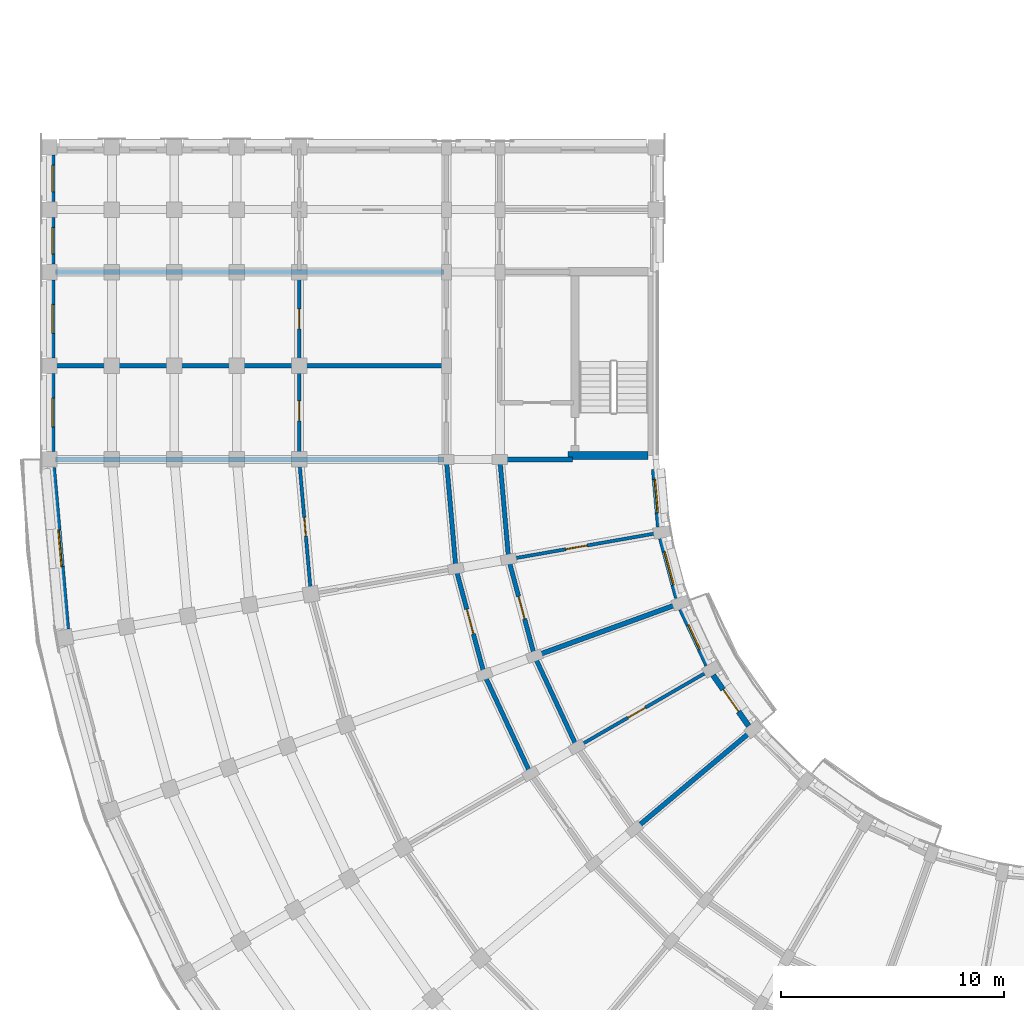
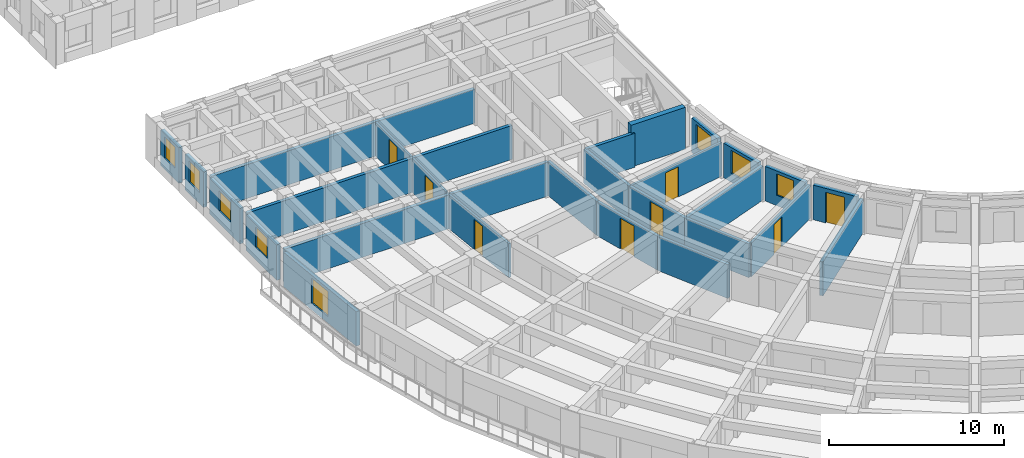
# One storey, part 19 of 57: 27 walls, 8 doors, 8 windows, 16 openings.
"""IFC4 building model written with IfcOpenShell, lengths in metres."""

from ifc_helpers import new_model, si_unit, direction, frame, frame_2d, origin, place, context, subcontext, project, spatial, rectangle, extrude, material, layer, layer_set, type_object, element, fill, save


model = new_model("IFC4")

# Units and contexts
model_context = context("Model", 3, precision=1e-05, world=origin(), true_north=direction((0.0, 1.0)))
body_context = subcontext(model_context, "Body", "Model", "MODEL_VIEW")
ifc_project = project(units=[si_unit("LENGTHUNIT", "METRE"), si_unit("AREAUNIT", "SQUARE_METRE"), si_unit("VOLUMEUNIT", "CUBIC_METRE"), si_unit("PLANEANGLEUNIT", "RADIAN"), si_unit("MASSUNIT", "GRAM", prefix="KILO")], contexts=[model_context])

# Site, building, storey
site_placement = place(None, origin())
site = spatial("IfcSite", under=ifc_project, at=site_placement, CompositionType="ELEMENT")
building_placement = place(site_placement, origin())
building = spatial("IfcBuilding", under=site, at=building_placement, Name="Kiranvali Square Residences", CompositionType="ELEMENT")
storey_placement = place(building_placement, frame((0.0, 0.0, 18.14990234375)))
storey = spatial("IfcBuildingStorey", under=building, at=storey_placement, Name="L05", CompositionType="ELEMENT", Elevation=18.14990234375)

# Walls
ifc_material_1 = material(Name="Autoclaved aerated concrete blockwork masonry", Category="masonry")
ifc_layer_1 = layer(ifc_material_1, 0.199951171875)
ifc_layer_set_1 = layer_set([ifc_layer_1], Name="Autoclaved aerated concrete blockwork masonry")
wall_type_1 = type_object("IfcWallType", Name="WL-COR-200", PredefinedType="STANDARD", material=ifc_layer_set_1)
wall_1_placement = place(storey_placement, frame((25.8564453125, 35.300048828125, 0.0), z_axis=(0.0, 0.0, 1.0), x_axis=(-0.422617978463, 0.906307919131, 0.0)))
element("IfcWall", 1, at=wall_1_placement, inside=storey, type_object=wall_type_1, Name="L05 architectural wall WL-L05-C-CCI-6", PredefinedType="STANDARD", context=body_context, shape_type="SweptSolid", body=[
    extrude(rectangle(XDim=4.497314453125, YDim=0.199951171875, at=frame_2d((2.24853515625, 0.0))), origin(), (0.0, 0.0, 1.0), 2.3720703125),
])
wall_2_placement = place(storey_placement, frame((23.778076171875, 34.10009765625, 0.0), z_axis=(0.0, 0.0, 1.0), x_axis=(-0.422629854778, 0.906302381024, 0.0)))
element("IfcWall", 2, at=wall_2_placement, inside=storey, type_object=wall_type_1, Name="L05 architectural wall WL-L05-C-CCO-6", PredefinedType="STANDARD", context=body_context, shape_type="SweptSolid", body=[
    extrude(rectangle(XDim=4.915283203125, YDim=0.199951171875, at=frame_2d((2.45751953125, 0.0))), origin(), (0.0, 0.0, 1.0), 2.3720703125),
])

# Wall, opening, door
wall_3_placement = place(storey_placement, frame((23.955810546875, 39.3759765625, 0.0), z_axis=(0.0, 0.0, 1.0), x_axis=(-0.258787642463, 0.965934240054, 0.0)))
wall_3 = element("IfcWall", 3, at=wall_3_placement, inside=storey, type_object=wall_type_1, Name="L05 architectural wall WL-L05-C-CCI-7", PredefinedType="STANDARD", context=body_context, shape_type="SweptSolid", body=[
    extrude(rectangle(XDim=4.497314453125, YDim=0.199951171875, at=frame_2d((2.24853515625, 0.0))), origin(), (0.0, 0.0, 1.0), 2.3720703125),
])
opening_1_placement = place(wall_3_placement, frame((1.728515625, 0.0, 0.0)))
opening_1 = element("IfcOpeningElement", 4, at=opening_1_placement, cuts=wall_3, Name="Opening FD-APT-60B", PredefinedType="OPENING", context=body_context, shape_type="SweptSolid", body=[
    extrude(rectangle(XDim=1.0400390625, YDim=2.14990234375, at=frame_2d((0.52001953125, 1.074951171875))), frame((0.0, 0.10986328125, 0.0), z_axis=(0.0, -1.0, 0.0), x_axis=(1.0, 0.0, 0.0)), (0.0, 0.0, 1.0), 0.219970703125),
])
ifc_material_2 = material(Name="Fire-rated acoustic hardwood and mineral-core door assembly", Category="wood")
door_type_1 = type_object("IfcDoorType", Name="DR-APT-1040", OperationType="NOTDEFINED", PredefinedType="DOOR", material=ifc_material_2)
door_1_placement = place(opening_1_placement, origin())
door_1 = element("IfcDoor", 5, at=door_1_placement, inside=storey, type_object=door_type_1, Name="L05 door DR-L05-2073 (DR-APT-1040)", OperationType="SINGLE_SWING_LEFT", OverallHeight=2.14990234375, OverallWidth=1.0400390625, PredefinedType="DOOR", context=body_context, shape_type="SweptSolid", body=[
    extrude(rectangle(XDim=1.0400390625, YDim=2.14990234375, at=frame_2d((0.52001953125, 1.074951171875))), frame((0.0, 0.02490234375, 0.0), z_axis=(0.0, -1.0, 0.0), x_axis=(1.0, 0.0, 0.0)), (0.0, 0.0, 1.0), 0.050048828125),
])
fill(opening_1, door_1)

wall_4_placement = place(storey_placement, frame((21.70068359375, 38.554931640625, 0.0), z_axis=(0.0, 0.0, 1.0), x_axis=(-0.258803112091, 0.965930095386, 0.0)))
wall_4 = element("IfcWall", 6, at=wall_4_placement, inside=storey, type_object=wall_type_1, Name="L05 architectural wall WL-L05-C-CCO-7", PredefinedType="STANDARD", context=body_context, shape_type="SweptSolid", body=[
    extrude(rectangle(XDim=4.915771484375, YDim=0.199951171875, at=frame_2d((2.4580078125, 0.0))), origin(), (0.0, 0.0, 1.0), 2.3720703125),
])
opening_2_placement = place(wall_4_placement, frame((1.8876953125, 0.0, 0.0)))
opening_2 = element("IfcOpeningElement", 7, at=opening_2_placement, cuts=wall_4, Name="Opening FD-APT-60D", PredefinedType="OPENING", context=body_context, shape_type="SweptSolid", body=[
    extrude(rectangle(XDim=1.139892578125, YDim=2.14990234375, at=frame_2d((0.56982421875, 1.074951171875))), frame((0.0, 0.10986328125, 0.0), z_axis=(0.0, -1.0, 0.0), x_axis=(1.0, 0.0, 0.0)), (0.0, 0.0, 1.0), 0.219970703125),
])
door_type_2 = type_object("IfcDoorType", Name="DR-APT-1140", OperationType="NOTDEFINED", PredefinedType="DOOR", material=ifc_material_2)
door_2_placement = place(opening_2_placement, origin())
door_2 = element("IfcDoor", 8, at=door_2_placement, inside=storey, type_object=door_type_2, Name="L05 door DR-L05-2067 (DR-APT-1140)", OperationType="SINGLE_SWING_LEFT", OverallHeight=2.14990234375, OverallWidth=1.139892578125, PredefinedType="DOOR", context=body_context, shape_type="SweptSolid", body=[
    extrude(rectangle(XDim=1.139892578125, YDim=2.14990234375, at=frame_2d((0.56982421875, 1.074951171875))), frame((0.0, 0.02490234375, 0.0), z_axis=(0.0, -1.0, 0.0), x_axis=(1.0, 0.0, 0.0)), (0.0, 0.0, 1.0), 0.050048828125),
])
fill(opening_2, door_2)

# Walls
wall_5_placement = place(storey_placement, frame((22.7919921875, 43.719970703125, 0.0), z_axis=(0.0, 0.0, 1.0), x_axis=(-0.087187153726, 0.996191949488, 0.0)))
element("IfcWall", 9, at=wall_5_placement, inside=storey, type_object=wall_type_1, Name="L05 architectural wall WL-L05-C-CCI-8", PredefinedType="STANDARD", context=body_context, shape_type="SweptSolid", body=[
    extrude(rectangle(XDim=4.4970703125, YDim=0.199951171875, at=frame_2d((2.24853515625, 0.0))), origin(), (0.0, 0.0, 1.0), 2.3720703125),
])
wall_6_placement = place(storey_placement, frame((20.428466796875, 43.30322265625, 0.0), z_axis=(0.0, 0.0, 1.0), x_axis=(-0.087167566415, 0.996193663584, 0.0)))
element("IfcWall", 10, at=wall_6_placement, inside=storey, type_object=wall_type_1, Name="L05 architectural wall WL-L05-C-CCO-8", PredefinedType="STANDARD", context=body_context, shape_type="SweptSolid", body=[
    extrude(rectangle(XDim=4.91552734375, YDim=0.199951171875, at=frame_2d((2.457763671875, 0.0))), origin(), (0.0, 0.0, 1.0), 2.3720703125),
])
ifc_layer_2 = layer(ifc_material_1, 0.219970703125)
ifc_layer_set_2 = layer_set([ifc_layer_2], Name="Autoclaved aerated concrete blockwork masonry")
wall_type_2 = type_object("IfcWallType", Name="WL-DEM-220", PredefinedType="STANDARD", material=ifc_layer_set_2)
for number, where, z_axis, x_axis, name in (
    (11, (33.645263671875, 35.987060546875, 0.0), (0.0, 0.0, 1.0), (-0.766046761698, -0.642784846501, 0.0), "L05 architectural wall WL-L05-C-RADI-5"),
    (12, (30.345947265625, 41.70166015625, 0.0), (0.0, 0.0, 1.0), (-0.939696231917, -0.342010221662, 0.0), "L05 architectural wall WL-L05-C-RADI-7"),
):
    element("IfcWall", number, at=place(storey_placement, frame(where, z_axis=z_axis, x_axis=x_axis)), inside=storey, type_object=wall_type_2, Name=name, PredefinedType="STANDARD", context=body_context, shape_type="SweptSolid", body=[
        extrude(rectangle(XDim=6.75, YDim=0.219970703125, at=frame_2d((3.375, 0.0))), origin(), (0.0, 0.0, 1.0), 2.3720703125),
    ])
wall_7_placement = place(storey_placement, frame((25.64990234375, 48.199951171875, 0.0), z_axis=(0.0, 0.0, 1.0), x_axis=(-1.0, 0.0, 0.0)))
element("IfcWall", 13, at=wall_7_placement, inside=storey, type_object=wall_type_2, Name="L05 architectural wall WL-L05-C-RADI-9", PredefinedType="STANDARD", context=body_context, shape_type="SweptSolid", body=[
    extrude(rectangle(XDim=3.199951171875, YDim=0.219970703125, at=frame_2d((1.60009765625, 0.0))), origin(), (0.0, 0.0, 1.0), 2.3720703125),
])
wall_8_placement = place(storey_placement, frame((19.89990234375, 48.199951171875, 0.0), z_axis=(0.0, 0.0, 1.0), x_axis=(-1.0, 0.0, 0.0)))
element("IfcWall", 14, at=wall_8_placement, inside=storey, type_object=wall_type_2, Name="L05 architectural wall WL-L05-C-RADO-9", PredefinedType="STANDARD", context=body_context, shape_type="SweptSolid", body=[
    extrude(rectangle(XDim=17.419921875, YDim=0.219970703125, at=frame_2d((8.7099609375, 0.0))), origin(), (0.0, 0.0, 1.0), 2.3720703125),
])
wall_9_placement = place(storey_placement, frame((19.949951171875, 52.39990234375, 0.0), z_axis=(0.0, 0.0, 1.0), x_axis=(-1.0, 0.0, 0.0)))
element("IfcWall", 15, at=wall_9_placement, inside=storey, type_object=wall_type_2, Name="L05 architectural wall WL-L05-C-A2CF-MID", PredefinedType="STANDARD", context=body_context, shape_type="SweptSolid", body=[
    extrude(rectangle(XDim=17.530029296875, YDim=0.219970703125, at=frame_2d((8.76513671875, 0.0))), origin(), (0.0, 0.0, 1.0), 2.3720703125),
])
wall_10_placement = place(storey_placement, frame((19.89990234375, 56.60009765625, 0.0), z_axis=(0.0, 0.0, 1.0), x_axis=(-1.0, 0.0, 0.0)))
element("IfcWall", 16, at=wall_10_placement, inside=storey, type_object=wall_type_2, Name="L05 architectural wall WL-L05-C-A2TO-0", PredefinedType="STANDARD", context=body_context, shape_type="SweptSolid", body=[
    extrude(rectangle(XDim=17.419921875, YDim=0.219970703125, at=frame_2d((8.7099609375, 0.0))), origin(), (0.0, 0.0, 1.0), 2.3720703125),
])

# Wall, opening, window
ifc_material_3 = material(Name="Breathable lime-rendered clay brick masonry", Category="masonry")
ifc_layer_3 = layer(ifc_material_3, 0.25)
ifc_layer_set_3 = layer_set([ifc_layer_3], Name="Breathable lime-rendered clay brick masonry")
wall_type_3 = type_object("IfcWallType", Name="WL-EXT-250", PredefinedType="STANDARD", material=ifc_layer_set_3)
wall_11_placement = place(storey_placement, frame((2.99072265625, 40.597412109375, 0.0), z_axis=(0.0, 0.0, 1.0), x_axis=(-0.08718487158, 0.99619214922, 0.0)))
wall_11 = element("IfcWall", 17, at=wall_11_placement, inside=storey, type_object=wall_type_3, Name="L05 exterior wall C-L05-CRV-08", PredefinedType="STANDARD", context=body_context, shape_type="SweptSolid", body=[
    extrude(rectangle(XDim=7.2666015625, YDim=0.25, at=frame_2d((3.63330078125, 0.0))), origin(), (0.0, 0.0, 1.0), 2.412109375),
])
opening_3_placement = place(wall_11_placement, frame((2.808349609375, 0.0, 0.4619140625)))
opening_3 = element("IfcOpeningElement", 18, at=opening_3_placement, cuts=wall_11, Name="Opening W-13", PredefinedType="OPENING", context=body_context, shape_type="SweptSolid", body=[
    extrude(rectangle(XDim=1.64990234375, YDim=1.75, at=frame_2d((0.824951171875, 0.875))), frame((0.0, 0.135009765625, 0.0), z_axis=(0.0, -1.0, 0.0), x_axis=(1.0, 0.0, 0.0)), (0.0, 0.0, 1.0), 0.27001953125),
])
ifc_material_4 = material(Name="Solar-control low-e double glazing", Category="glass")
window_type_1 = type_object("IfcWindowType", Name="WIN-RES-1650x1750", PartitioningType="DOUBLE_PANEL_VERTICAL", PredefinedType="WINDOW", material=ifc_material_4)
window_1_placement = place(opening_3_placement, origin())
window_1 = element("IfcWindow", 19, at=window_1_placement, inside=storey, type_object=window_type_1, Name="L05 recessed window C-L05-CRV-08", OverallHeight=1.75, OverallWidth=1.64990234375, PartitioningType="DOUBLE_PANEL_VERTICAL", PredefinedType="WINDOW", context=body_context, shape_type="SweptSolid", body=[
    extrude(rectangle(XDim=1.64990234375, YDim=1.75, at=frame_2d((0.824951171875, 0.875))), frame((0.0, 0.030029296875, 0.0), z_axis=(0.0, -1.0, 0.0), x_axis=(1.0, 0.0, 0.0)), (0.0, 0.0, 1.0), 0.06005859375),
])
fill(opening_3, window_1)

# Wall, opening, door
wall_12_placement = place(storey_placement, frame((33.550537109375, 36.251708984375, 0.0), z_axis=(0.0, 0.0, 1.0), x_axis=(-0.573633885053, 0.819111815273, 0.0)))
wall_12 = element("IfcWall", 20, at=wall_12_placement, inside=storey, type_object=wall_type_3, Name="L05 exterior wall C-L05-GDN-05", PredefinedType="STANDARD", context=body_context, shape_type="SweptSolid", body=[
    extrude(rectangle(XDim=2.769775390625, YDim=0.25, at=frame_2d((1.384765625, 0.0))), origin(), (0.0, 0.0, 1.0), 2.422119140625),
])
opening_4_placement = place(wall_12_placement, frame((0.784912109375, 0.0, 0.0)))
opening_4 = element("IfcOpeningElement", 21, at=opening_4_placement, cuts=wall_12, Name="Opening ED-BAL-1", PredefinedType="OPENING", context=body_context, shape_type="SweptSolid", body=[
    extrude(rectangle(XDim=1.199951171875, YDim=2.14990234375, at=frame_2d((0.60009765625, 1.074951171875))), frame((0.0, 0.135009765625, 0.0), z_axis=(0.0, -1.0, 0.0), x_axis=(1.0, 0.0, 0.0)), (0.0, 0.0, 1.0), 0.27001953125),
])
ifc_material_5 = material(Name="Anodised bronze aluminium framing", Category="aluminium")
door_type_3 = type_object("IfcDoorType", Name="DR-BAL-1200", OperationType="NOTDEFINED", PredefinedType="DOOR", material=ifc_material_5)
door_3_placement = place(opening_4_placement, frame((1.199951171875, 0.0, 0.0), z_axis=(0.0, 0.0, 1.0), x_axis=(-1.0, 0.0, 0.0)))
door_3 = element("IfcDoor", 22, at=door_3_placement, inside=storey, type_object=door_type_3, Name="L05 balcony terrace door", OperationType="SINGLE_SWING_LEFT", OverallHeight=2.14990234375, OverallWidth=1.199951171875, PredefinedType="DOOR", context=body_context, shape_type="SweptSolid", body=[
    extrude(rectangle(XDim=1.199951171875, YDim=2.14990234375, at=frame_2d((0.60009765625, 1.074951171875))), frame((0.0, 0.02490234375, 0.0), z_axis=(0.0, -1.0, 0.0), x_axis=(1.0, 0.0, 0.0)), (0.0, 0.0, 1.0), 0.050048828125),
])
fill(opening_4, door_3)

# Wall, opening, window
wall_13_placement = place(storey_placement, frame((31.6982421875, 38.97705078125, 0.0), z_axis=(0.0, 0.0, 1.0), x_axis=(-0.422649007088, 0.906293449611, 0.0)))
wall_13 = element("IfcWall", 23, at=wall_13_placement, inside=storey, type_object=wall_type_3, Name="L05 exterior wall C-L05-GDN-06", PredefinedType="STANDARD", context=body_context, shape_type="SweptSolid", body=[
    extrude(rectangle(XDim=2.769775390625, YDim=0.25, at=frame_2d((1.384765625, 0.0))), origin(), (0.0, 0.0, 1.0), 2.422119140625),
])
opening_5_placement = place(wall_13_placement, frame((0.784912109375, 0.0, 0.721923828125)))
opening_5 = element("IfcOpeningElement", 24, at=opening_5_placement, cuts=wall_13, Name="Opening W-06", PredefinedType="OPENING", context=body_context, shape_type="SweptSolid", body=[
    extrude(rectangle(XDim=1.199951171875, YDim=1.5, at=frame_2d((0.60009765625, 0.75))), frame((0.0, 0.135009765625, 0.0), z_axis=(0.0, -1.0, 0.0), x_axis=(1.0, 0.0, 0.0)), (0.0, 0.0, 1.0), 0.27001953125),
])
window_type_2 = type_object("IfcWindowType", Name="WIN-RES-1200x1500", PartitioningType="SINGLE_PANEL", PredefinedType="WINDOW", material=ifc_material_4)
window_2_placement = place(opening_5_placement, origin())
window_2 = element("IfcWindow", 25, at=window_2_placement, inside=storey, type_object=window_type_2, Name="L05 recessed window C-L05-GDN-06", OverallHeight=1.5, OverallWidth=1.199951171875, PartitioningType="SINGLE_PANEL", PredefinedType="WINDOW", context=body_context, shape_type="SweptSolid", body=[
    extrude(rectangle(XDim=1.199951171875, YDim=1.5, at=frame_2d((0.60009765625, 0.75))), frame((0.0, 0.030029296875, 0.0), z_axis=(0.0, -1.0, 0.0), x_axis=(1.0, 0.0, 0.0)), (0.0, 0.0, 1.0), 0.06005859375),
])
fill(opening_5, window_2)

wall_14_placement = place(storey_placement, frame((30.347412109375, 41.982666015625, 0.0), z_axis=(0.0, 0.0, 1.0), x_axis=(-0.25878161084, 0.965935855992, 0.0)))
wall_14 = element("IfcWall", 26, at=wall_14_placement, inside=storey, type_object=wall_type_3, Name="L05 exterior wall C-L05-GDN-07", PredefinedType="STANDARD", context=body_context, shape_type="SweptSolid", body=[
    extrude(rectangle(XDim=2.769775390625, YDim=0.25, at=frame_2d((1.384765625, 0.0))), origin(), (0.0, 0.0, 1.0), 2.422119140625),
])
opening_6_placement = place(wall_14_placement, frame((0.60986328125, 0.0, 0.6220703125)))
opening_6 = element("IfcOpeningElement", 27, at=opening_6_placement, cuts=wall_14, Name="Opening W-18", PredefinedType="OPENING", context=body_context, shape_type="SweptSolid", body=[
    extrude(rectangle(XDim=1.550048828125, YDim=1.60009765625, at=frame_2d((0.77490234375, 0.800048828125))), frame((0.0, 0.135009765625, 0.0), z_axis=(0.0, -1.0, 0.0), x_axis=(1.0, 0.0, 0.0)), (0.0, 0.0, 1.0), 0.27001953125),
])
window_type_3 = type_object("IfcWindowType", Name="WIN-GDN-1550x1600", PartitioningType="DOUBLE_PANEL_VERTICAL", PredefinedType="WINDOW", material=ifc_material_4)
window_3_placement = place(opening_6_placement, origin())
window_3 = element("IfcWindow", 28, at=window_3_placement, inside=storey, type_object=window_type_3, Name="L05 recessed window C-L05-GDN-07", OverallHeight=1.60009765625, OverallWidth=1.550048828125, PartitioningType="DOUBLE_PANEL_VERTICAL", PredefinedType="WINDOW", context=body_context, shape_type="SweptSolid", body=[
    extrude(rectangle(XDim=1.550048828125, YDim=1.60009765625, at=frame_2d((0.77490234375, 0.800048828125))), frame((0.0, 0.030029296875, 0.0), z_axis=(0.0, -1.0, 0.0), x_axis=(1.0, 0.0, 0.0)), (0.0, 0.0, 1.0), 0.06005859375),
])
fill(opening_6, window_3)

wall_15_placement = place(storey_placement, frame((29.5390625, 45.17724609375, 0.0), z_axis=(0.0, 0.0, 1.0), x_axis=(-0.087229084652, 0.996188278786, 0.0)))
wall_15 = element("IfcWall", 29, at=wall_15_placement, inside=storey, type_object=wall_type_3, Name="L05 exterior wall C-L05-GDN-08", PredefinedType="STANDARD", context=body_context, shape_type="SweptSolid", body=[
    extrude(rectangle(XDim=2.583251953125, YDim=0.25, at=frame_2d((1.29150390625, 0.0))), origin(), (0.0, 0.0, 1.0), 2.422119140625),
])
opening_7_placement = place(wall_15_placement, frame((0.635009765625, 0.0, 0.572021484375)))
opening_7 = element("IfcOpeningElement", 30, at=opening_7_placement, cuts=wall_15, Name="Opening W-05", PredefinedType="OPENING", context=body_context, shape_type="SweptSolid", body=[
    extrude(rectangle(XDim=1.5, YDim=1.64990234375, at=frame_2d((0.75, 0.824951171875))), frame((0.0, 0.135009765625, 0.0), z_axis=(0.0, -1.0, 0.0), x_axis=(1.0, 0.0, 0.0)), (0.0, 0.0, 1.0), 0.27001953125),
])
window_type_4 = type_object("IfcWindowType", Name="WIN-RES-1500x1650", PartitioningType="DOUBLE_PANEL_VERTICAL", PredefinedType="WINDOW", material=ifc_material_4)
window_4_placement = place(opening_7_placement, origin())
window_4 = element("IfcWindow", 31, at=window_4_placement, inside=storey, type_object=window_type_4, Name="L05 recessed window C-L05-GDN-08", OverallHeight=1.64990234375, OverallWidth=1.5, PartitioningType="DOUBLE_PANEL_VERTICAL", PredefinedType="WINDOW", context=body_context, shape_type="SweptSolid", body=[
    extrude(rectangle(XDim=1.5, YDim=1.64990234375, at=frame_2d((0.75, 0.824951171875))), frame((0.0, 0.030029296875, 0.0), z_axis=(0.0, -1.0, 0.0), x_axis=(1.0, 0.0, 0.0)), (0.0, 0.0, 1.0), 0.06005859375),
])
fill(opening_7, window_4)

wall_16_placement = place(storey_placement, frame((2.324951171875, 48.553466796875, 0.0), z_axis=(0.0, 0.0, 1.0), x_axis=(0.0, 1.0, 0.0)))
wall_16 = element("IfcWall", 32, at=wall_16_placement, inside=storey, type_object=wall_type_3, Name="L05 exterior wall C-L05-A2O-0", PredefinedType="STANDARD", context=body_context, shape_type="SweptSolid", body=[
    extrude(rectangle(XDim=3.492919921875, YDim=0.25, at=frame_2d((1.74658203125, 0.0))), origin(), (0.0, 0.0, 1.0), 2.47998046875),
])
opening_8_placement = place(wall_16_placement, frame((1.096435546875, 0.0, 0.8798828125)))
opening_8 = element("IfcOpeningElement", 33, at=opening_8_placement, cuts=wall_16, Name="Opening W-23", PredefinedType="OPENING", context=body_context, shape_type="SweptSolid", body=[
    extrude(rectangle(XDim=1.300048828125, YDim=1.39990234375, at=frame_2d((0.64990234375, 0.699951171875))), frame((0.0, 0.135009765625, 0.0), z_axis=(0.0, -1.0, 0.0), x_axis=(1.0, 0.0, 0.0)), (0.0, 0.0, 1.0), 0.27001953125),
])
window_type_5 = type_object("IfcWindowType", Name="WIN-COR-1300x1400", PartitioningType="DOUBLE_PANEL_HORIZONTAL", PredefinedType="WINDOW", material=ifc_material_4)
window_5_placement = place(opening_8_placement, origin())
window_5 = element("IfcWindow", 34, at=window_5_placement, inside=storey, type_object=window_type_5, Name="L05 recessed window C-L05-A2O-0", OverallHeight=1.39990234375, OverallWidth=1.300048828125, PartitioningType="DOUBLE_PANEL_HORIZONTAL", PredefinedType="WINDOW", context=body_context, shape_type="SweptSolid", body=[
    extrude(rectangle(XDim=1.300048828125, YDim=1.39990234375, at=frame_2d((0.64990234375, 0.699951171875))), frame((0.0, 0.030029296875, 0.0), z_axis=(0.0, -1.0, 0.0), x_axis=(1.0, 0.0, 0.0)), (0.0, 0.0, 1.0), 0.06005859375),
])
fill(opening_8, window_5)

wall_17_placement = place(storey_placement, frame((2.324951171875, 52.75341796875, 0.0), z_axis=(0.0, 0.0, 1.0), x_axis=(0.0, 1.0, 0.0)))
wall_17 = element("IfcWall", 35, at=wall_17_placement, inside=storey, type_object=wall_type_3, Name="L05 exterior wall C-L05-A2O-1", PredefinedType="STANDARD", context=body_context, shape_type="SweptSolid", body=[
    extrude(rectangle(XDim=3.4931640625, YDim=0.25, at=frame_2d((1.74658203125, 0.0))), origin(), (0.0, 0.0, 1.0), 2.47998046875),
])
opening_9_placement = place(wall_17_placement, frame((1.096435546875, 0.0, 0.8798828125)))
opening_9 = element("IfcOpeningElement", 36, at=opening_9_placement, cuts=wall_17, Name="Opening W-23", PredefinedType="OPENING", context=body_context, shape_type="SweptSolid", body=[
    extrude(rectangle(XDim=1.300048828125, YDim=1.39990234375, at=frame_2d((0.64990234375, 0.699951171875))), frame((0.0, 0.135009765625, 0.0), z_axis=(0.0, -1.0, 0.0), x_axis=(1.0, 0.0, 0.0)), (0.0, 0.0, 1.0), 0.27001953125),
])
window_6_placement = place(opening_9_placement, origin())
window_6 = element("IfcWindow", 37, at=window_6_placement, inside=storey, type_object=window_type_5, Name="L05 recessed window C-L05-A2O-1", OverallHeight=1.39990234375, OverallWidth=1.300048828125, PartitioningType="DOUBLE_PANEL_HORIZONTAL", PredefinedType="WINDOW", context=body_context, shape_type="SweptSolid", body=[
    extrude(rectangle(XDim=1.300048828125, YDim=1.39990234375, at=frame_2d((0.64990234375, 0.699951171875))), frame((0.0, 0.030029296875, 0.0), z_axis=(0.0, -1.0, 0.0), x_axis=(1.0, 0.0, 0.0)), (0.0, 0.0, 1.0), 0.06005859375),
])
fill(opening_9, window_6)

wall_18_placement = place(storey_placement, frame((2.324951171875, 56.95361328125, 0.0), z_axis=(0.0, 0.0, 1.0), x_axis=(0.0, 1.0, 0.0)))
wall_18 = element("IfcWall", 38, at=wall_18_placement, inside=storey, type_object=wall_type_3, Name="L05 exterior wall C-L05-A2O-2", PredefinedType="STANDARD", context=body_context, shape_type="SweptSolid", body=[
    extrude(rectangle(XDim=2.0927734375, YDim=0.25, at=frame_2d((1.04638671875, 0.0))), origin(), (0.0, 0.0, 1.0), 2.47998046875),
])
opening_10_placement = place(wall_18_placement, frame((0.446533203125, 0.0, 0.780029296875)))
opening_10 = element("IfcOpeningElement", 39, at=opening_10_placement, cuts=wall_18, Name="Opening W-06", PredefinedType="OPENING", context=body_context, shape_type="SweptSolid", body=[
    extrude(rectangle(XDim=1.199951171875, YDim=1.5, at=frame_2d((0.60009765625, 0.75))), frame((0.0, 0.135009765625, 0.0), z_axis=(0.0, -1.0, 0.0), x_axis=(1.0, 0.0, 0.0)), (0.0, 0.0, 1.0), 0.27001953125),
])
window_7_placement = place(opening_10_placement, origin())
window_7 = element("IfcWindow", 40, at=window_7_placement, inside=storey, type_object=window_type_2, Name="L05 recessed window C-L05-A2O-2", OverallHeight=1.5, OverallWidth=1.199951171875, PartitioningType="SINGLE_PANEL", PredefinedType="WINDOW", context=body_context, shape_type="SweptSolid", body=[
    extrude(rectangle(XDim=1.199951171875, YDim=1.5, at=frame_2d((0.60009765625, 0.75))), frame((0.0, 0.030029296875, 0.0), z_axis=(0.0, -1.0, 0.0), x_axis=(1.0, 0.0, 0.0)), (0.0, 0.0, 1.0), 0.06005859375),
])
fill(opening_10, window_7)

wall_19_placement = place(storey_placement, frame((2.324951171875, 59.75341796875, 0.0), z_axis=(0.0, 0.0, 1.0), x_axis=(0.0, 1.0, 0.0)))
wall_19 = element("IfcWall", 41, at=wall_19_placement, inside=storey, type_object=wall_type_3, Name="L05 exterior wall C-L05-A2O-3", PredefinedType="STANDARD", context=body_context, shape_type="SweptSolid", body=[
    extrude(rectangle(XDim=2.093017578125, YDim=0.25, at=frame_2d((1.04638671875, 0.0))), origin(), (0.0, 0.0, 1.0), 2.47998046875),
])
opening_11_placement = place(wall_19_placement, frame((0.446533203125, 0.0, 0.780029296875)))
opening_11 = element("IfcOpeningElement", 42, at=opening_11_placement, cuts=wall_19, Name="Opening W-06", PredefinedType="OPENING", context=body_context, shape_type="SweptSolid", body=[
    extrude(rectangle(XDim=1.199951171875, YDim=1.5, at=frame_2d((0.60009765625, 0.75))), frame((0.0, 0.135009765625, 0.0), z_axis=(0.0, -1.0, 0.0), x_axis=(1.0, 0.0, 0.0)), (0.0, 0.0, 1.0), 0.27001953125),
])
window_8_placement = place(opening_11_placement, origin())
window_8 = element("IfcWindow", 43, at=window_8_placement, inside=storey, type_object=window_type_2, Name="L05 recessed window C-L05-A2O-3", OverallHeight=1.5, OverallWidth=1.199951171875, PartitioningType="SINGLE_PANEL", PredefinedType="WINDOW", context=body_context, shape_type="SweptSolid", body=[
    extrude(rectangle(XDim=1.199951171875, YDim=1.5, at=frame_2d((0.60009765625, 0.75))), frame((0.0, 0.030029296875, 0.0), z_axis=(0.0, -1.0, 0.0), x_axis=(1.0, 0.0, 0.0)), (0.0, 0.0, 1.0), 0.06005859375),
])
fill(opening_11, window_8)

# Wall, opening, door
ifc_material_6 = material(Name="Acoustic gypsum board drylined partition", Category="gypsum")
ifc_layer_4 = layer(ifc_material_6, 0.14990234375)
ifc_layer_set_4 = layer_set([ifc_layer_4], Name="Acoustic gypsum board drylined partition")
wall_type_4 = type_object("IfcWallType", Name="WL-PRT-150", PredefinedType="PARTITIONING", material=ifc_layer_set_4)
wall_20_placement = place(storey_placement, frame((31.74560546875, 38.699951171875, 0.0), z_axis=(0.0, 0.0, 1.0), x_axis=(-0.866026575979, -0.499997969693, 0.0)))
wall_20 = element("IfcWall", 44, at=wall_20_placement, inside=storey, type_object=wall_type_4, Name="L05 architectural wall WL-L05-C-RADI-6", PredefinedType="PARTITIONING", context=body_context, shape_type="SweptSolid", body=[
    extrude(rectangle(XDim=6.75, YDim=0.14990234375, at=frame_2d((3.375, 0.0))), origin(), (0.0, 0.0, 1.0), 2.3720703125),
])
opening_12_placement = place(wall_20_placement, frame((3.262451171875, 0.0, 0.0)))
opening_12 = element("IfcOpeningElement", 45, at=opening_12_placement, cuts=wall_20, Name="Opening ID-1", PredefinedType="OPENING", context=body_context, shape_type="SweptSolid", body=[
    extrude(rectangle(XDim=0.89990234375, YDim=2.10009765625, at=frame_2d((0.449951171875, 1.050048828125))), frame((0.0, 0.0849609375, 0.0), z_axis=(0.0, -1.0, 0.0), x_axis=(1.0, 0.0, 0.0)), (0.0, 0.0, 1.0), 0.169921875),
])
ifc_material_7 = material(Name="Solid seasoned teak hardwood joinery", Category="wood")
door_type_4 = type_object("IfcDoorType", Name="DR-INT-900", OperationType="NOTDEFINED", PredefinedType="DOOR", material=ifc_material_7)
door_4_placement = place(opening_12_placement, origin())
door_4 = element("IfcDoor", 46, at=door_4_placement, inside=storey, type_object=door_type_4, Name="L05 door DR-L05-2053 (DR-INT-900)", OperationType="SINGLE_SWING_LEFT", OverallHeight=2.10009765625, OverallWidth=0.89990234375, PredefinedType="DOOR", context=body_context, shape_type="SweptSolid", body=[
    extrude(rectangle(XDim=0.89990234375, YDim=2.10009765625, at=frame_2d((0.449951171875, 1.050048828125))), frame((0.0, 0.02490234375, 0.0), z_axis=(0.0, -1.0, 0.0), x_axis=(1.0, 0.0, 0.0)), (0.0, 0.0, 1.0), 0.050048828125),
])
fill(opening_12, door_4)

wall_21_placement = place(storey_placement, frame((29.48876953125, 44.900634765625, 0.0), z_axis=(0.0, 0.0, 1.0), x_axis=(-0.984807944945, -0.173647089161, 0.0)))
wall_21 = element("IfcWall", 47, at=wall_21_placement, inside=storey, type_object=wall_type_4, Name="L05 architectural wall WL-L05-C-RADI-8", PredefinedType="PARTITIONING", context=body_context, shape_type="SweptSolid", body=[
    extrude(rectangle(XDim=6.75, YDim=0.14990234375, at=frame_2d((3.375, 0.0))), origin(), (0.0, 0.0, 1.0), 2.3720703125),
])
opening_13_placement = place(wall_21_placement, frame((3.222412109375, 0.0, 0.0)))
opening_13 = element("IfcOpeningElement", 48, at=opening_13_placement, cuts=wall_21, Name="Opening ID-3", PredefinedType="OPENING", context=body_context, shape_type="SweptSolid", body=[
    extrude(rectangle(XDim=0.97998046875, YDim=2.1201171875, at=frame_2d((0.489990234375, 1.06005859375))), frame((0.0, 0.0849609375, 0.0), z_axis=(0.0, -1.0, 0.0), x_axis=(1.0, 0.0, 0.0)), (0.0, 0.0, 1.0), 0.169921875),
])
door_type_5 = type_object("IfcDoorType", Name="DR-INT-980", OperationType="NOTDEFINED", PredefinedType="DOOR", material=ifc_material_7)
door_5_placement = place(opening_13_placement, origin())
door_5 = element("IfcDoor", 49, at=door_5_placement, inside=storey, type_object=door_type_5, Name="L05 door DR-L05-2055 (DR-INT-980)", OperationType="SINGLE_SWING_LEFT", OverallHeight=2.1201171875, OverallWidth=0.97998046875, PredefinedType="DOOR", context=body_context, shape_type="SweptSolid", body=[
    extrude(rectangle(XDim=0.97998046875, YDim=2.1201171875, at=frame_2d((0.489990234375, 1.06005859375))), frame((0.0, 0.02490234375, 0.0), z_axis=(0.0, -1.0, 0.0), x_axis=(1.0, 0.0, 0.0)), (0.0, 0.0, 1.0), 0.050048828125),
])
fill(opening_13, door_5)

wall_22_placement = place(storey_placement, frame((13.39990234375, 48.429931640625, 0.0), z_axis=(0.0, 0.0, 1.0), x_axis=(0.0, 1.0, 0.0)))
wall_22 = element("IfcWall", 50, at=wall_22_placement, inside=storey, type_object=wall_type_4, Name="L05 architectural wall WL-L05-C-A2CF-SP0", PredefinedType="PARTITIONING", context=body_context, shape_type="SweptSolid", body=[
    extrude(rectangle(XDim=3.89013671875, YDim=0.14990234375, at=frame_2d((1.945068359375, 0.0))), origin(), (0.0, 0.0, 1.0), 2.3720703125),
])
opening_14_placement = place(wall_22_placement, frame((1.4951171875, 0.0, 0.0)))
opening_14 = element("IfcOpeningElement", 51, at=opening_14_placement, cuts=wall_22, Name="Opening ID-1", PredefinedType="OPENING", context=body_context, shape_type="SweptSolid", body=[
    extrude(rectangle(XDim=0.89990234375, YDim=2.10009765625, at=frame_2d((0.449951171875, 1.050048828125))), frame((0.0, 0.0849609375, 0.0), z_axis=(0.0, -1.0, 0.0), x_axis=(1.0, 0.0, 0.0)), (0.0, 0.0, 1.0), 0.169921875),
])
door_6_placement = place(opening_14_placement, origin())
door_6 = element("IfcDoor", 52, at=door_6_placement, inside=storey, type_object=door_type_4, Name="L05 door DR-L05-2075 (DR-INT-900)", OperationType="SINGLE_SWING_LEFT", OverallHeight=2.10009765625, OverallWidth=0.89990234375, PredefinedType="DOOR", context=body_context, shape_type="SweptSolid", body=[
    extrude(rectangle(XDim=0.89990234375, YDim=2.10009765625, at=frame_2d((0.449951171875, 1.050048828125))), frame((0.0, 0.02490234375, 0.0), z_axis=(0.0, -1.0, 0.0), x_axis=(1.0, 0.0, 0.0)), (0.0, 0.0, 1.0), 0.050048828125),
])
fill(opening_14, door_6)

wall_23_placement = place(storey_placement, frame((13.39990234375, 52.47998046875, 0.0), z_axis=(0.0, 0.0, 1.0), x_axis=(0.0, 1.0, 0.0)))
wall_23 = element("IfcWall", 53, at=wall_23_placement, inside=storey, type_object=wall_type_4, Name="L05 architectural wall WL-L05-C-A2CF-SP1", PredefinedType="PARTITIONING", context=body_context, shape_type="SweptSolid", body=[
    extrude(rectangle(XDim=4.0400390625, YDim=0.14990234375, at=frame_2d((2.02001953125, 0.0))), origin(), (0.0, 0.0, 1.0), 2.3720703125),
])
opening_15_placement = place(wall_23_placement, frame((1.570068359375, 0.0, 0.0)))
opening_15 = element("IfcOpeningElement", 54, at=opening_15_placement, cuts=wall_23, Name="Opening ID-1", PredefinedType="OPENING", context=body_context, shape_type="SweptSolid", body=[
    extrude(rectangle(XDim=0.89990234375, YDim=2.10009765625, at=frame_2d((0.449951171875, 1.050048828125))), frame((0.0, 0.0849609375, 0.0), z_axis=(0.0, -1.0, 0.0), x_axis=(1.0, 0.0, 0.0)), (0.0, 0.0, 1.0), 0.169921875),
])
door_7_placement = place(opening_15_placement, origin())
door_7 = element("IfcDoor", 55, at=door_7_placement, inside=storey, type_object=door_type_4, Name="L05 door DR-L05-2077 (DR-INT-900)", OperationType="SINGLE_SWING_LEFT", OverallHeight=2.10009765625, OverallWidth=0.89990234375, PredefinedType="DOOR", context=body_context, shape_type="SweptSolid", body=[
    extrude(rectangle(XDim=0.89990234375, YDim=2.10009765625, at=frame_2d((0.449951171875, 1.050048828125))), frame((0.0, 0.02490234375, 0.0), z_axis=(0.0, -1.0, 0.0), x_axis=(1.0, 0.0, 0.0)), (0.0, 0.0, 1.0), 0.050048828125),
])
fill(opening_15, door_7)

# Wall
ifc_material_8 = material(Name="Concrete M50 (50 MPa)", Category="concrete")
ifc_layer_5 = layer(ifc_material_8, 0.35009765625)
ifc_layer_set_5 = layer_set([ifc_layer_5], Name="Concrete M50 (50 MPa)")
wall_type_5 = type_object("IfcWallType", Name="WL-SHR-350", PredefinedType="SHEAR", material=ifc_layer_set_5)
wall_24_placement = place(storey_placement, frame((29.050048828125, 48.375, 0.0), z_axis=(0.0, 0.0, 1.0), x_axis=(-1.0, 0.0, 0.0)))
element("IfcWall", 56, at=wall_24_placement, inside=storey, type_object=wall_type_5, Name="Block C core shear wall SW-C3-NEAR-L05", PredefinedType="SHEAR", context=body_context, shape_type="SweptSolid", body=[
    extrude(rectangle(XDim=3.60009765625, YDim=0.35009765625, at=frame_2d((1.800048828125, 0.0))), origin(), (0.0, 0.0, 1.0), 2.93017578125),
])

# Wall, opening, door
ifc_layer_6 = layer(ifc_material_1, 0.14990234375)
ifc_layer_set_6 = layer_set([ifc_layer_6], Name="Autoclaved aerated concrete blockwork masonry")
wall_type_6 = type_object("IfcWallType", Name="WL-WET-150", PredefinedType="PLUMBINGWALL", material=ifc_layer_set_6)
wall_25_placement = place(storey_placement, frame((13.9287109375, 42.156982421875, 0.0), z_axis=(0.0, 0.0, 1.0), x_axis=(-0.087174938512, 0.996193018494, 0.0)))
wall_25 = element("IfcWall", 57, at=wall_25_placement, inside=storey, type_object=wall_type_6, Name="L05 architectural wall WL-L05-C-CWET-8", PredefinedType="PLUMBINGWALL", context=body_context, shape_type="SweptSolid", body=[
    extrude(rectangle(XDim=6.066162109375, YDim=0.14990234375, at=frame_2d((3.033203125, 0.0))), origin(), (0.0, 0.0, 1.0), 2.3720703125),
])
opening_16_placement = place(wall_25_placement, frame((2.613037109375, 0.0, 0.0)))
opening_16 = element("IfcOpeningElement", 58, at=opening_16_placement, cuts=wall_25, Name="Opening ID-WET2", PredefinedType="OPENING", context=body_context, shape_type="SweptSolid", body=[
    extrude(rectangle(XDim=0.840087890625, YDim=2.10009765625, at=frame_2d((0.419921875, 1.050048828125))), frame((0.0, 0.0849609375, 0.0), z_axis=(0.0, -1.0, 0.0), x_axis=(1.0, 0.0, 0.0)), (0.0, 0.0, 1.0), 0.169921875),
])
door_type_6 = type_object("IfcDoorType", Name="DR-WET-840", OperationType="NOTDEFINED", PredefinedType="DOOR", material=ifc_material_7)
door_8_placement = place(opening_16_placement, origin())
door_8 = element("IfcDoor", 59, at=door_8_placement, inside=storey, type_object=door_type_6, Name="L05 door DR-L05-2069 (DR-WET-840)", OperationType="SINGLE_SWING_LEFT", OverallHeight=2.10009765625, OverallWidth=0.840087890625, PredefinedType="DOOR", context=body_context, shape_type="SweptSolid", body=[
    extrude(rectangle(XDim=0.840087890625, YDim=2.10009765625, at=frame_2d((0.419921875, 1.050048828125))), frame((0.0, 0.02490234375, 0.0), z_axis=(0.0, -1.0, 0.0), x_axis=(1.0, 0.0, 0.0)), (0.0, 0.0, 1.0), 0.050048828125),
])
fill(opening_16, door_8)

save(model, "model.ifc")
